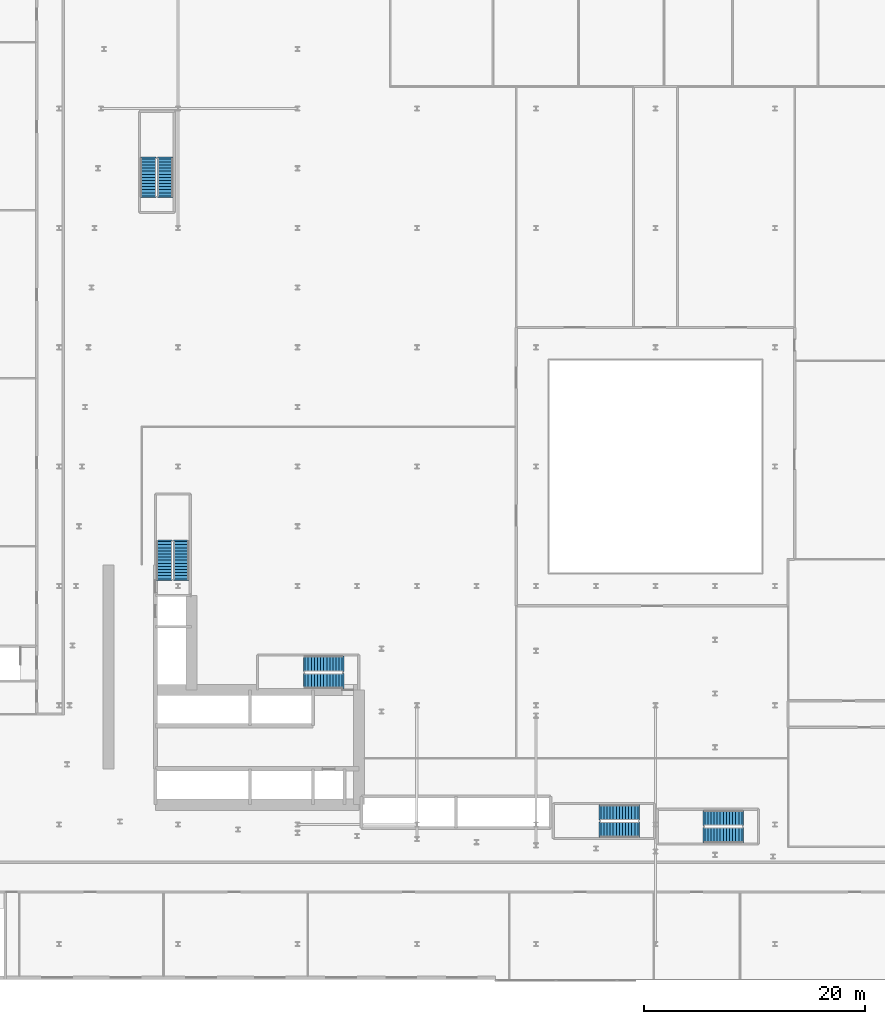
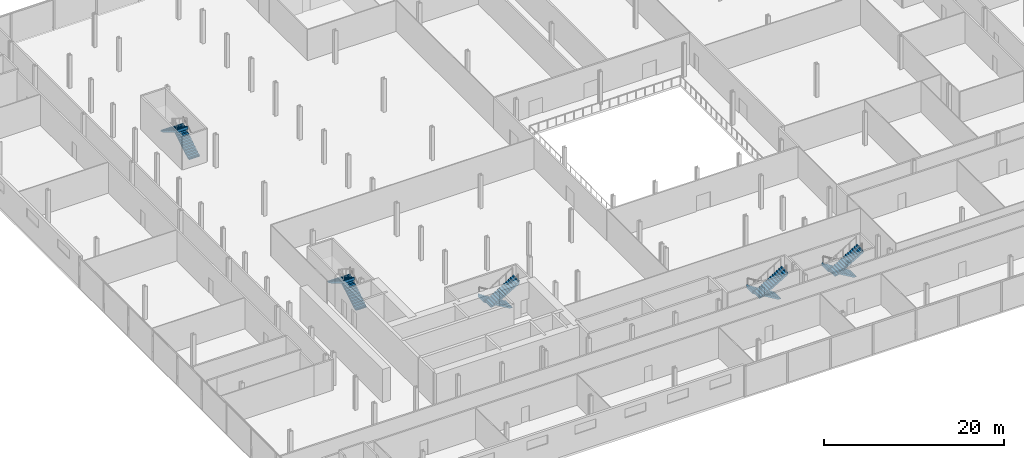
# One storey, part 37 of 43: 10 stair flights, 5 elements without a shape of their own.
"""IFC4 building model written with IfcOpenShell, lengths in metres."""

from ifc_helpers import new_model, si_unit, direction, frame, origin, place, context, subcontext, project, spatial, polyline, outline, extrude, material, layer, layer_set, type_object, element, aggregate, save


model = new_model("IFC4")

# Units and contexts
model_context = context("Model", 3, precision=1e-05, world=origin(), true_north=direction((0.0, 1.0)))
body_context = subcontext(model_context, "Body", "Model", "MODEL_VIEW")
ifc_project = project(units=[si_unit("LENGTHUNIT", "METRE"), si_unit("AREAUNIT", "SQUARE_METRE"), si_unit("VOLUMEUNIT", "CUBIC_METRE"), si_unit("PLANEANGLEUNIT", "RADIAN"), si_unit("MASSUNIT", "GRAM", prefix="KILO")], contexts=[model_context])

# Site, building, storey
site_placement = place(None, origin())
site = spatial("IfcSite", under=ifc_project, at=site_placement, CompositionType="ELEMENT")
building_placement = place(site_placement, origin())
building = spatial("IfcBuilding", under=site, at=building_placement, Name="Kheshtan School and Residences Tower", CompositionType="ELEMENT")
storey_placement = place(building_placement, frame((0.0, 0.0, 26.0)))
storey = spatial("IfcBuildingStorey", under=building, at=storey_placement, Name="L05", CompositionType="ELEMENT", Elevation=26.0)

# Stair, stair flights
ifc_material = material(Name="Concrete C40/50", Category="concrete")
stair_type = type_object("IfcStairType", Name="Exit stair, half-turn", PredefinedType="HALF_TURN_STAIR", material=ifc_material)
stair_1_placement = place(storey_placement, origin())
stair_1 = element("IfcStair", 1, at=stair_1_placement, inside=storey, type_object=stair_type, Name="L05 Protected Exit Stair ST1", PredefinedType="HALF_TURN_STAIR")
ifc_layer = layer(ifc_material, 0.14990234375)
ifc_layer_set = layer_set([ifc_layer], Name="Stair flight 1400 Concrete C40/50")
stair_flight_type = type_object("IfcStairFlightType", Name="Stair flight 1400 Concrete C40/50", PredefinedType="STRAIGHT", material=ifc_layer_set)
stair_flight_1_placement = place(storey_placement, frame((51.64990234375, 38.550048828125, 0.0), z_axis=(0.0, 0.0, 1.0), x_axis=(-1.0, 0.0, 0.0)))
stair_flight_1 = element("IfcStairFlight", 2, at=stair_flight_1_placement, type_object=stair_flight_type, Name="ST1 flight 1", NumberOfRisers=13, NumberOfTreads=12, PredefinedType="STRAIGHT", RiserHeight=0.173076923, TreadLength=0.28, context=body_context, shape_type="SweptSolid", body=[
    extrude(outline(polyline([(-0.14990234375, -0.10009765625), (-0.14990234375, 0.0), (0.0, 0.0), (0.0, 0.173095703125), (0.280029296875, 0.173095703125), (0.280029296875, 0.34619140625), (0.56005859375, 0.34619140625), (0.56005859375, 0.519287109375), (0.840087890625, 0.519287109375), (0.840087890625, 0.6923828125), (1.1201171875, 0.6923828125), (1.1201171875, 0.865478515625), (1.39990234375, 0.865478515625), (1.39990234375, 1.03857421875), (1.679931640625, 1.03857421875), (1.679931640625, 1.21142578125), (1.9599609375, 1.21142578125), (1.9599609375, 1.384521484375), (2.239990234375, 1.384521484375), (2.239990234375, 1.5576171875), (2.52001953125, 1.5576171875), (2.52001953125, 1.730712890625), (2.800048828125, 1.730712890625), (2.800048828125, 1.90380859375), (3.080078125, 1.90380859375), (3.080078125, 2.076904296875), (3.360107421875, 2.076904296875), (3.360107421875, 2.25), (3.360107421875, 2.27001953125), (3.510009765625, 2.27001953125), (3.510009765625, 1.900634765625), (0.28515625, 0.0), (-0.14990234375, -0.10009765625)])), frame((0.0, 0.699951171875, 0.0), z_axis=(0.0, -1.0, 0.0), x_axis=(1.0, 0.0, 0.0)), (0.0, 0.0, 1.0), 1.39990234375),
])
stair_flight_2_placement = place(storey_placement, frame((48.2900390625, 37.0, 2.25), z_axis=(0.0, 0.0, 1.0), x_axis=(1.0, 0.0, 0.0)))
stair_flight_2 = element("IfcStairFlight", 3, at=stair_flight_2_placement, type_object=stair_flight_type, Name="ST1 flight 2", NumberOfRisers=13, NumberOfTreads=12, PredefinedType="STRAIGHT", RiserHeight=0.173076923, TreadLength=0.28, context=body_context, shape_type="SweptSolid", body=[
    extrude(outline(polyline([(-0.14990234375, -0.10009765625), (-0.14990234375, 0.0), (0.0, 0.0), (0.0, 0.173095703125), (0.280029296875, 0.173095703125), (0.280029296875, 0.34619140625), (0.56005859375, 0.34619140625), (0.56005859375, 0.519287109375), (0.840087890625, 0.519287109375), (0.840087890625, 0.6923828125), (1.1201171875, 0.6923828125), (1.1201171875, 0.865478515625), (1.39990234375, 0.865478515625), (1.39990234375, 1.03857421875), (1.679931640625, 1.03857421875), (1.679931640625, 1.21142578125), (1.9599609375, 1.21142578125), (1.9599609375, 1.384521484375), (2.239990234375, 1.384521484375), (2.239990234375, 1.5576171875), (2.52001953125, 1.5576171875), (2.52001953125, 1.730712890625), (2.800048828125, 1.730712890625), (2.800048828125, 1.90380859375), (3.080078125, 1.90380859375), (3.080078125, 2.076904296875), (3.360107421875, 2.076904296875), (3.360107421875, 2.25), (3.360107421875, 2.27001953125), (3.510009765625, 2.27001953125), (3.510009765625, 1.900634765625), (0.28515625, 0.0), (-0.14990234375, -0.10009765625)])), frame((0.0, 0.699951171875, 0.0), z_axis=(0.0, -1.0, 0.0), x_axis=(1.0, 0.0, 0.0)), (0.0, 0.0, 1.0), 1.39990234375),
])
aggregate(stair_1, [stair_flight_1, stair_flight_2])

stair_2_placement = place(storey_placement, origin())
stair_2 = element("IfcStair", 4, at=stair_2_placement, inside=storey, type_object=stair_type, Name="L05 Protected Exit Stair ST2", PredefinedType="HALF_TURN_STAIR")
stair_flight_3_placement = place(storey_placement, frame((37.10009765625, 46.25, 0.0), z_axis=(0.0, 0.0, 1.0), x_axis=(0.0, 1.0, 0.0)))
stair_flight_3 = element("IfcStairFlight", 5, at=stair_flight_3_placement, type_object=stair_flight_type, Name="ST2 flight 1", NumberOfRisers=13, NumberOfTreads=12, PredefinedType="STRAIGHT", RiserHeight=0.173076923, TreadLength=0.28, context=body_context, shape_type="SweptSolid", body=[
    extrude(outline(polyline([(-0.14990234375, -0.10009765625), (-0.14990234375, 0.0), (0.0, 0.0), (0.0, 0.173095703125), (0.280029296875, 0.173095703125), (0.280029296875, 0.34619140625), (0.56005859375, 0.34619140625), (0.56005859375, 0.519287109375), (0.840087890625, 0.519287109375), (0.840087890625, 0.6923828125), (1.1201171875, 0.6923828125), (1.1201171875, 0.865478515625), (1.39990234375, 0.865478515625), (1.39990234375, 1.03857421875), (1.679931640625, 1.03857421875), (1.679931640625, 1.21142578125), (1.9599609375, 1.21142578125), (1.9599609375, 1.384521484375), (2.239990234375, 1.384521484375), (2.239990234375, 1.5576171875), (2.52001953125, 1.5576171875), (2.52001953125, 1.730712890625), (2.800048828125, 1.730712890625), (2.800048828125, 1.90380859375), (3.080078125, 1.90380859375), (3.080078125, 2.076904296875), (3.360107421875, 2.076904296875), (3.360107421875, 2.25), (3.360107421875, 2.27001953125), (3.510009765625, 2.27001953125), (3.510009765625, 1.900634765625), (0.28515625, 0.0), (-0.14990234375, -0.10009765625)])), frame((0.0, 0.699951171875, 0.0), z_axis=(0.0, -1.0, 0.0), x_axis=(1.0, 0.0, 0.0)), (0.0, 0.0, 1.0), 1.39990234375),
])
stair_flight_4_placement = place(storey_placement, frame((35.550048828125, 49.610107421875, 2.25), z_axis=(0.0, 0.0, 1.0), x_axis=(0.0, -1.0, 0.0)))
stair_flight_4 = element("IfcStairFlight", 6, at=stair_flight_4_placement, type_object=stair_flight_type, Name="ST2 flight 2", NumberOfRisers=13, NumberOfTreads=12, PredefinedType="STRAIGHT", RiserHeight=0.173076923, TreadLength=0.28, context=body_context, shape_type="SweptSolid", body=[
    extrude(outline(polyline([(-0.14990234375, -0.10009765625), (-0.14990234375, 0.0), (0.0, 0.0), (0.0, 0.173095703125), (0.280029296875, 0.173095703125), (0.280029296875, 0.34619140625), (0.56005859375, 0.34619140625), (0.56005859375, 0.519287109375), (0.840087890625, 0.519287109375), (0.840087890625, 0.6923828125), (1.1201171875, 0.6923828125), (1.1201171875, 0.865478515625), (1.39990234375, 0.865478515625), (1.39990234375, 1.03857421875), (1.679931640625, 1.03857421875), (1.679931640625, 1.21142578125), (1.9599609375, 1.21142578125), (1.9599609375, 1.384521484375), (2.239990234375, 1.384521484375), (2.239990234375, 1.5576171875), (2.52001953125, 1.5576171875), (2.52001953125, 1.730712890625), (2.800048828125, 1.730712890625), (2.800048828125, 1.90380859375), (3.080078125, 1.90380859375), (3.080078125, 2.076904296875), (3.360107421875, 2.076904296875), (3.360107421875, 2.25), (3.360107421875, 2.27001953125), (3.510009765625, 2.27001953125), (3.510009765625, 1.900634765625), (0.28515625, 0.0), (-0.14990234375, -0.10009765625)])), frame((0.0, 0.699951171875, 0.0), z_axis=(0.0, -1.0, 0.0), x_axis=(1.0, 0.0, 0.0)), (0.0, 0.0, 1.0), 1.39990234375),
])
aggregate(stair_2, [stair_flight_3, stair_flight_4])

stair_3_placement = place(storey_placement, origin())
stair_3 = element("IfcStair", 7, at=stair_3_placement, inside=storey, type_object=stair_type, Name="L05 Protected Exit Stair ST3", PredefinedType="HALF_TURN_STAIR")
stair_flight_5_placement = place(storey_placement, frame((35.64990234375, 80.89990234375, 0.0), z_axis=(0.0, 0.0, 1.0), x_axis=(0.0, 1.0, 0.0)))
stair_flight_5 = element("IfcStairFlight", 8, at=stair_flight_5_placement, type_object=stair_flight_type, Name="ST3 flight 1", NumberOfRisers=13, NumberOfTreads=12, PredefinedType="STRAIGHT", RiserHeight=0.173076923, TreadLength=0.28, context=body_context, shape_type="SweptSolid", body=[
    extrude(outline(polyline([(-0.14990234375, -0.10009765625), (-0.14990234375, 0.0), (0.0, 0.0), (0.0, 0.173095703125), (0.280029296875, 0.173095703125), (0.280029296875, 0.34619140625), (0.56005859375, 0.34619140625), (0.56005859375, 0.519287109375), (0.840087890625, 0.519287109375), (0.840087890625, 0.6923828125), (1.1201171875, 0.6923828125), (1.1201171875, 0.865478515625), (1.39990234375, 0.865478515625), (1.39990234375, 1.03857421875), (1.679931640625, 1.03857421875), (1.679931640625, 1.21142578125), (1.9599609375, 1.21142578125), (1.9599609375, 1.384521484375), (2.239990234375, 1.384521484375), (2.239990234375, 1.5576171875), (2.52001953125, 1.5576171875), (2.52001953125, 1.730712890625), (2.800048828125, 1.730712890625), (2.800048828125, 1.90380859375), (3.080078125, 1.90380859375), (3.080078125, 2.076904296875), (3.360107421875, 2.076904296875), (3.360107421875, 2.25), (3.360107421875, 2.27001953125), (3.510009765625, 2.27001953125), (3.510009765625, 1.900634765625), (0.28515625, 0.0), (-0.14990234375, -0.10009765625)])), frame((0.0, 0.699951171875, 0.0), z_axis=(0.0, -1.0, 0.0), x_axis=(1.0, 0.0, 0.0)), (0.0, 0.0, 1.0), 1.39990234375),
])
stair_flight_6_placement = place(storey_placement, frame((34.10009765625, 84.260009765625, 2.25), z_axis=(0.0, 0.0, 1.0), x_axis=(0.0, -1.0, 0.0)))
stair_flight_6 = element("IfcStairFlight", 9, at=stair_flight_6_placement, type_object=stair_flight_type, Name="ST3 flight 2", NumberOfRisers=13, NumberOfTreads=12, PredefinedType="STRAIGHT", RiserHeight=0.173076923, TreadLength=0.28, context=body_context, shape_type="SweptSolid", body=[
    extrude(outline(polyline([(-0.14990234375, -0.10009765625), (-0.14990234375, 0.0), (0.0, 0.0), (0.0, 0.173095703125), (0.280029296875, 0.173095703125), (0.280029296875, 0.34619140625), (0.56005859375, 0.34619140625), (0.56005859375, 0.519287109375), (0.840087890625, 0.519287109375), (0.840087890625, 0.6923828125), (1.1201171875, 0.6923828125), (1.1201171875, 0.865478515625), (1.39990234375, 0.865478515625), (1.39990234375, 1.03857421875), (1.679931640625, 1.03857421875), (1.679931640625, 1.21142578125), (1.9599609375, 1.21142578125), (1.9599609375, 1.384521484375), (2.239990234375, 1.384521484375), (2.239990234375, 1.5576171875), (2.52001953125, 1.5576171875), (2.52001953125, 1.730712890625), (2.800048828125, 1.730712890625), (2.800048828125, 1.90380859375), (3.080078125, 1.90380859375), (3.080078125, 2.076904296875), (3.360107421875, 2.076904296875), (3.360107421875, 2.25), (3.360107421875, 2.27001953125), (3.510009765625, 2.27001953125), (3.510009765625, 1.900634765625), (0.28515625, 0.0), (-0.14990234375, -0.10009765625)])), frame((0.0, 0.699951171875, 0.0), z_axis=(0.0, -1.0, 0.0), x_axis=(1.0, 0.0, 0.0)), (0.0, 0.0, 1.0), 1.39990234375),
])
aggregate(stair_3, [stair_flight_5, stair_flight_6])

stair_4_placement = place(storey_placement, origin())
stair_4 = element("IfcStair", 10, at=stair_4_placement, inside=storey, type_object=stair_type, Name="L05 Protected Exit Stair ST4", PredefinedType="HALF_TURN_STAIR")
stair_flight_7_placement = place(storey_placement, frame((87.820068359375, 24.60009765625, 0.0), z_axis=(0.0, 0.0, 1.0), x_axis=(-1.0, 0.0, 0.0)))
stair_flight_7 = element("IfcStairFlight", 11, at=stair_flight_7_placement, type_object=stair_flight_type, Name="ST4 flight 1", NumberOfRisers=13, NumberOfTreads=12, PredefinedType="STRAIGHT", RiserHeight=0.173076923, TreadLength=0.28, context=body_context, shape_type="SweptSolid", body=[
    extrude(outline(polyline([(-0.14990234375, -0.10009765625), (-0.14990234375, 0.0), (0.0, 0.0), (0.0, 0.173095703125), (0.280029296875, 0.173095703125), (0.280029296875, 0.34619140625), (0.56005859375, 0.34619140625), (0.56005859375, 0.519287109375), (0.840087890625, 0.519287109375), (0.840087890625, 0.6923828125), (1.1201171875, 0.6923828125), (1.1201171875, 0.865478515625), (1.39990234375, 0.865478515625), (1.39990234375, 1.03857421875), (1.679931640625, 1.03857421875), (1.679931640625, 1.21142578125), (1.9599609375, 1.21142578125), (1.9599609375, 1.384521484375), (2.239990234375, 1.384521484375), (2.239990234375, 1.5576171875), (2.52001953125, 1.5576171875), (2.52001953125, 1.730712890625), (2.800048828125, 1.730712890625), (2.800048828125, 1.90380859375), (3.080078125, 1.90380859375), (3.080078125, 2.076904296875), (3.360107421875, 2.076904296875), (3.360107421875, 2.25), (3.360107421875, 2.27001953125), (3.510009765625, 2.27001953125), (3.510009765625, 1.900634765625), (0.28515625, 0.0), (-0.14990234375, -0.10009765625)])), frame((0.0, 0.699951171875, 0.0), z_axis=(0.0, -1.0, 0.0), x_axis=(1.0, 0.0, 0.0)), (0.0, 0.0, 1.0), 1.39990234375),
])
stair_flight_8_placement = place(storey_placement, frame((84.4599609375, 23.050048828125, 2.25), z_axis=(0.0, 0.0, 1.0), x_axis=(1.0, 0.0, 0.0)))
stair_flight_8 = element("IfcStairFlight", 12, at=stair_flight_8_placement, type_object=stair_flight_type, Name="ST4 flight 2", NumberOfRisers=13, NumberOfTreads=12, PredefinedType="STRAIGHT", RiserHeight=0.173076923, TreadLength=0.28, context=body_context, shape_type="SweptSolid", body=[
    extrude(outline(polyline([(-0.14990234375, -0.10009765625), (-0.14990234375, 0.0), (0.0, 0.0), (0.0, 0.173095703125), (0.280029296875, 0.173095703125), (0.280029296875, 0.34619140625), (0.56005859375, 0.34619140625), (0.56005859375, 0.519287109375), (0.840087890625, 0.519287109375), (0.840087890625, 0.6923828125), (1.1201171875, 0.6923828125), (1.1201171875, 0.865478515625), (1.39990234375, 0.865478515625), (1.39990234375, 1.03857421875), (1.679931640625, 1.03857421875), (1.679931640625, 1.21142578125), (1.9599609375, 1.21142578125), (1.9599609375, 1.384521484375), (2.239990234375, 1.384521484375), (2.239990234375, 1.5576171875), (2.52001953125, 1.5576171875), (2.52001953125, 1.730712890625), (2.800048828125, 1.730712890625), (2.800048828125, 1.90380859375), (3.080078125, 1.90380859375), (3.080078125, 2.076904296875), (3.360107421875, 2.076904296875), (3.360107421875, 2.25), (3.360107421875, 2.27001953125), (3.510009765625, 2.27001953125), (3.510009765625, 1.900634765625), (0.28515625, 0.0), (-0.14990234375, -0.10009765625)])), frame((0.0, 0.699951171875, 0.0), z_axis=(0.0, -1.0, 0.0), x_axis=(1.0, 0.0, 0.0)), (0.0, 0.0, 1.0), 1.39990234375),
])
aggregate(stair_4, [stair_flight_7, stair_flight_8])

stair_5_placement = place(storey_placement, origin())
stair_5 = element("IfcStair", 13, at=stair_5_placement, inside=storey, type_object=stair_type, Name="L05 Protected Exit Stair ST5", PredefinedType="HALF_TURN_STAIR")
stair_flight_9_placement = place(storey_placement, frame((78.409912109375, 25.10009765625, 0.0), z_axis=(0.0, 0.0, 1.0), x_axis=(-1.0, 0.0, 0.0)))
stair_flight_9 = element("IfcStairFlight", 14, at=stair_flight_9_placement, type_object=stair_flight_type, Name="ST5 flight 1", NumberOfRisers=13, NumberOfTreads=12, PredefinedType="STRAIGHT", RiserHeight=0.173076923, TreadLength=0.28, context=body_context, shape_type="SweptSolid", body=[
    extrude(outline(polyline([(-0.14990234375, -0.10009765625), (-0.14990234375, 0.0), (0.0, 0.0), (0.0, 0.173095703125), (0.280029296875, 0.173095703125), (0.280029296875, 0.34619140625), (0.56005859375, 0.34619140625), (0.56005859375, 0.519287109375), (0.840087890625, 0.519287109375), (0.840087890625, 0.6923828125), (1.1201171875, 0.6923828125), (1.1201171875, 0.865478515625), (1.39990234375, 0.865478515625), (1.39990234375, 1.03857421875), (1.679931640625, 1.03857421875), (1.679931640625, 1.21142578125), (1.9599609375, 1.21142578125), (1.9599609375, 1.384521484375), (2.239990234375, 1.384521484375), (2.239990234375, 1.5576171875), (2.52001953125, 1.5576171875), (2.52001953125, 1.730712890625), (2.800048828125, 1.730712890625), (2.800048828125, 1.90380859375), (3.080078125, 1.90380859375), (3.080078125, 2.076904296875), (3.360107421875, 2.076904296875), (3.360107421875, 2.25), (3.360107421875, 2.27001953125), (3.510009765625, 2.27001953125), (3.510009765625, 1.900634765625), (0.28515625, 0.0), (-0.14990234375, -0.10009765625)])), frame((0.0, 0.699951171875, 0.0), z_axis=(0.0, -1.0, 0.0), x_axis=(1.0, 0.0, 0.0)), (0.0, 0.0, 1.0), 1.39990234375),
])
stair_flight_10_placement = place(storey_placement, frame((75.050048828125, 23.550048828125, 2.25), z_axis=(0.0, 0.0, 1.0), x_axis=(1.0, 0.0, 0.0)))
stair_flight_10 = element("IfcStairFlight", 15, at=stair_flight_10_placement, type_object=stair_flight_type, Name="ST5 flight 2", NumberOfRisers=13, NumberOfTreads=12, PredefinedType="STRAIGHT", RiserHeight=0.173076923, TreadLength=0.28, context=body_context, shape_type="SweptSolid", body=[
    extrude(outline(polyline([(-0.14990234375, -0.10009765625), (-0.14990234375, 0.0), (0.0, 0.0), (0.0, 0.173095703125), (0.280029296875, 0.173095703125), (0.280029296875, 0.34619140625), (0.56005859375, 0.34619140625), (0.56005859375, 0.519287109375), (0.840087890625, 0.519287109375), (0.840087890625, 0.6923828125), (1.1201171875, 0.6923828125), (1.1201171875, 0.865478515625), (1.39990234375, 0.865478515625), (1.39990234375, 1.03857421875), (1.679931640625, 1.03857421875), (1.679931640625, 1.21142578125), (1.9599609375, 1.21142578125), (1.9599609375, 1.384521484375), (2.239990234375, 1.384521484375), (2.239990234375, 1.5576171875), (2.52001953125, 1.5576171875), (2.52001953125, 1.730712890625), (2.800048828125, 1.730712890625), (2.800048828125, 1.90380859375), (3.080078125, 1.90380859375), (3.080078125, 2.076904296875), (3.360107421875, 2.076904296875), (3.360107421875, 2.25), (3.360107421875, 2.27001953125), (3.510009765625, 2.27001953125), (3.510009765625, 1.900634765625), (0.28515625, 0.0), (-0.14990234375, -0.10009765625)])), frame((0.0, 0.699951171875, 0.0), z_axis=(0.0, -1.0, 0.0), x_axis=(1.0, 0.0, 0.0)), (0.0, 0.0, 1.0), 1.39990234375),
])
aggregate(stair_5, [stair_flight_9, stair_flight_10])

save(model, "model.ifc")
